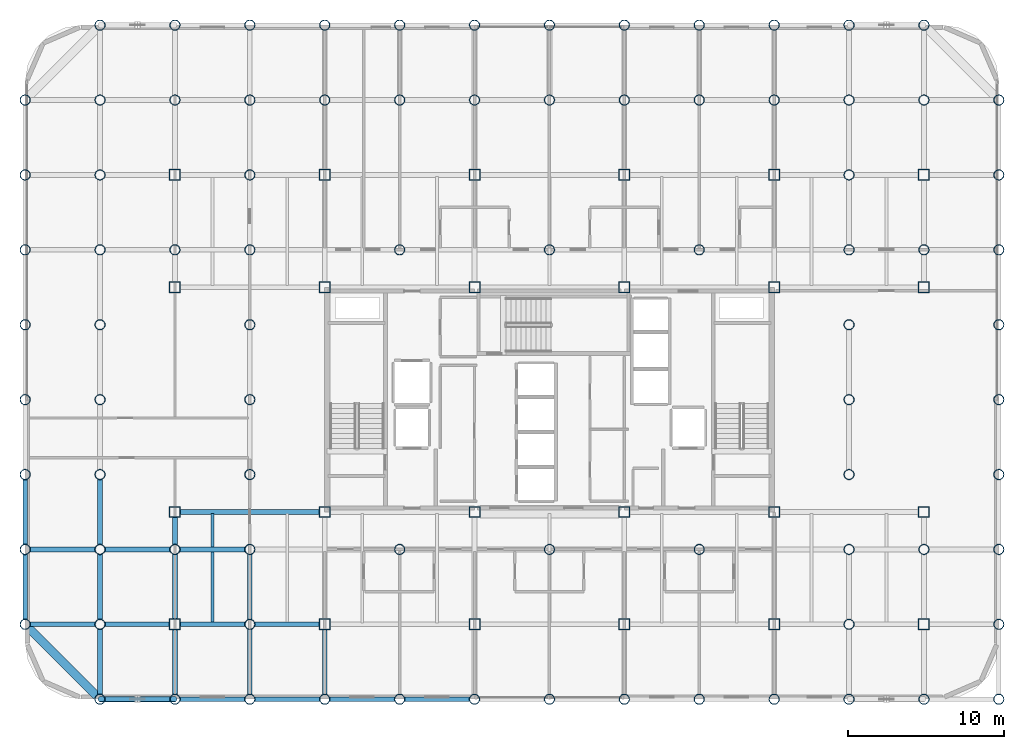
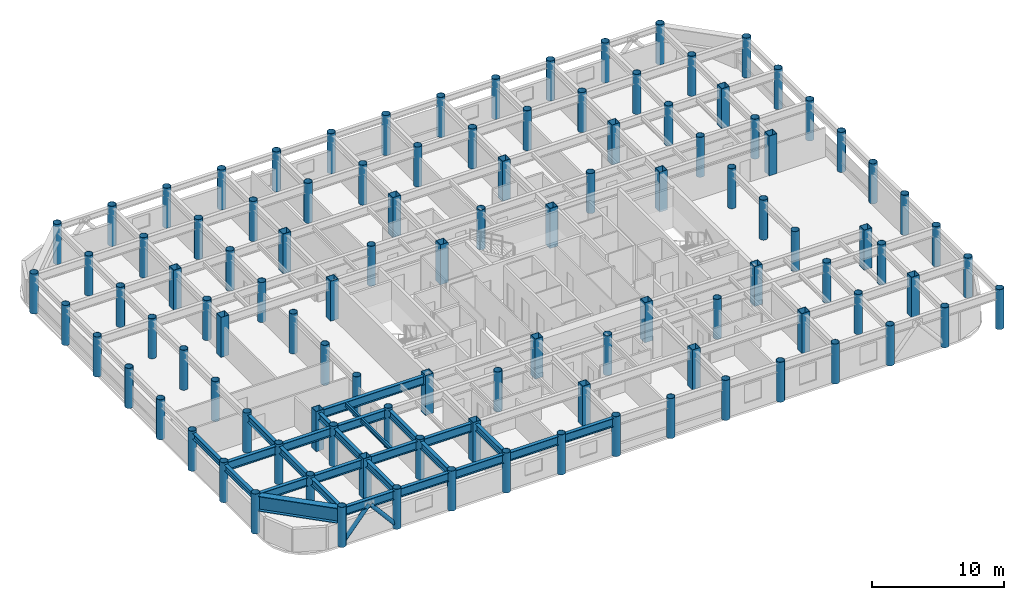
# One storey, part 1 of 20: 108 columns, 26 beams, 2 members.
"""IFC4 building model written with IfcOpenShell, lengths in metres."""

from ifc_helpers import new_model, si_unit, direction, frame, origin, origin_2d, place, context, subcontext, project, spatial, hollow_rectangle, hollow_circle, i_section, extrude, material, material_profile, profile_set, type_object, element, save


model = new_model("IFC4")

# Units and contexts
model_context = context("Model", 3, precision=1e-05, world=origin(), true_north=direction((0.0, 1.0)))
body_context = subcontext(model_context, "Body", "Model", "MODEL_VIEW")
ifc_project = project(units=[si_unit("LENGTHUNIT", "METRE"), si_unit("AREAUNIT", "SQUARE_METRE"), si_unit("VOLUMEUNIT", "CUBIC_METRE"), si_unit("PLANEANGLEUNIT", "RADIAN"), si_unit("MASSUNIT", "GRAM", prefix="KILO")], contexts=[model_context])

# Site, building, storey
site_placement = place(None, origin())
site = spatial("IfcSite", under=ifc_project, at=site_placement, CompositionType="ELEMENT")
building_placement = place(site_placement, origin())
building = spatial("IfcBuilding", under=site, at=building_placement, Name="Kallvorn Hotel Tower", CompositionType="ELEMENT")
storey_placement = place(building_placement, frame((0.0, 0.0, 132.199951171875)))
storey = spatial("IfcBuildingStorey", under=building, at=storey_placement, Name="L32", CompositionType="ELEMENT", Elevation=132.199951171875)

# Columns
ifc_material_1 = material(Name="Structural steel S355J2H", Category="steel")
ifc_material_profile_1 = material_profile(ifc_material_1, hollow_circle(Radius=0.330078125, WallThickness=0.028076171875, at=origin_2d()), Name="CHS 660x28")
ifc_profile_set_1 = profile_set([ifc_material_profile_1], Name="Structural steel S355J2H")
column_type_1 = type_object("IfcColumnType", Name="COL_CHS_660", PredefinedType="COLUMN", material=ifc_profile_set_1)
for number, where, z_axis, x_axis, name in (
    (1, (-33.60009765625, -14.39990234375, 0.0), (0.0, 0.0, 1.0), (1.0, 0.0, 0.0), "L32 Exoskeleton Column EC01"),
    (2, (-33.60009765625, -9.60009765625, 0.0), (0.0, 0.0, 1.0), (1.0, 0.0, 0.0), "L32 Exoskeleton Column EC02"),
    (3, (-33.60009765625, -4.800048828125, 0.0), (0.0, 0.0, 1.0), (1.0, 0.0, 0.0), "L32 Exoskeleton Column EC03"),
    (4, (-33.60009765625, 0.0, 0.0), (0.0, 0.0, 1.0), (1.0, 0.0, 0.0), "L32 Exoskeleton Column EC04"),
    (5, (-33.60009765625, 4.800048828125, 0.0), (0.0, 0.0, 1.0), (1.0, 0.0, 0.0), "L32 Exoskeleton Column EC05"),
    (6, (-33.60009765625, 9.60009765625, 0.0), (0.0, 0.0, 1.0), (1.0, 0.0, 0.0), "L32 Exoskeleton Column EC06"),
    (7, (-33.60009765625, 14.39990234375, 0.0), (0.0, 0.0, 1.0), (1.0, 0.0, 0.0), "L32 Exoskeleton Column EC07"),
    (8, (-33.60009765625, 19.199951171875, 0.0), (0.0, 0.0, 1.0), (1.0, 0.0, 0.0), "L32 Exoskeleton Column EC08"),
    (9, (-28.800048828125, -19.199951171875, 0.0), (0.0, 0.0, 1.0), (1.0, 0.0, 0.0), "L32 Exoskeleton Column EC09"),
    (10, (-28.800048828125, -14.39990234375, 0.0), (0.0, 0.0, 1.0), (1.0, 0.0, 0.0), "L32 Exoskeleton Column EC10"),
    (11, (-28.800048828125, -9.60009765625, 0.0), (0.0, 0.0, 1.0), (1.0, 0.0, 0.0), "L32 Exoskeleton Column EC11"),
    (12, (-28.800048828125, -4.800048828125, 0.0), (0.0, 0.0, 1.0), (1.0, 0.0, 0.0), "L32 Exoskeleton Column EC12"),
    (13, (-28.800048828125, 0.0, 0.0), (0.0, 0.0, 1.0), (1.0, 0.0, 0.0), "L32 Exoskeleton Column EC13"),
    (14, (-28.800048828125, 4.800048828125, 0.0), (0.0, 0.0, 1.0), (1.0, 0.0, 0.0), "L32 Exoskeleton Column EC14"),
    (15, (-28.800048828125, 9.60009765625, 0.0), (0.0, 0.0, 1.0), (1.0, 0.0, 0.0), "L32 Exoskeleton Column EC15"),
    (16, (-28.800048828125, 14.39990234375, 0.0), (0.0, 0.0, 1.0), (1.0, 0.0, 0.0), "L32 Exoskeleton Column EC16"),
    (17, (-28.800048828125, 19.199951171875, 0.0), (0.0, 0.0, 1.0), (1.0, 0.0, 0.0), "L32 Exoskeleton Column EC17"),
    (18, (-28.800048828125, 24.0, 0.0), (0.0, 0.0, 1.0), (1.0, 0.0, 0.0), "L32 Exoskeleton Column EC18"),
    (19, (-24.0, -19.199951171875, 0.0), (0.0, 0.0, 1.0), (1.0, 0.0, 0.0), "L32 Exoskeleton Column EC19"),
    (20, (-24.0, -9.60009765625, 0.0), (0.0, 0.0, 1.0), (1.0, 0.0, 0.0), "L32 Exoskeleton Column EC20"),
    (21, (-24.0, 9.60009765625, 0.0), (0.0, 0.0, 1.0), (1.0, 0.0, 0.0), "L32 Exoskeleton Column EC21"),
    (22, (-24.0, 19.199951171875, 0.0), (0.0, 0.0, 1.0), (1.0, 0.0, 0.0), "L32 Exoskeleton Column EC22"),
    (23, (-24.0, 24.0, 0.0), (0.0, 0.0, 1.0), (1.0, 0.0, 0.0), "L32 Exoskeleton Column EC23"),
    (24, (-19.199951171875, -19.199951171875, 0.0), (0.0, 0.0, 1.0), (1.0, 0.0, 0.0), "L32 Exoskeleton Column EC24"),
    (25, (-19.199951171875, -14.39990234375, 0.0), (0.0, 0.0, 1.0), (1.0, 0.0, 0.0), "L32 Exoskeleton Column EC25"),
    (26, (-19.199951171875, -9.60009765625, 0.0), (0.0, 0.0, 1.0), (1.0, 0.0, 0.0), "L32 Exoskeleton Column EC26"),
    (27, (-19.199951171875, -4.800048828125, 0.0), (0.0, 0.0, 1.0), (1.0, 0.0, 0.0), "L32 Exoskeleton Column EC27"),
    (28, (-19.199951171875, 0.0, 0.0), (0.0, 0.0, 1.0), (1.0, 0.0, 0.0), "L32 Exoskeleton Column EC28"),
    (29, (-19.199951171875, 4.800048828125, 0.0), (0.0, 0.0, 1.0), (1.0, 0.0, 0.0), "L32 Exoskeleton Column EC29"),
    (30, (-19.199951171875, 9.60009765625, 0.0), (0.0, 0.0, 1.0), (1.0, 0.0, 0.0), "L32 Exoskeleton Column EC30"),
    (31, (-19.199951171875, 14.39990234375, 0.0), (0.0, 0.0, 1.0), (1.0, 0.0, 0.0), "L32 Exoskeleton Column EC31"),
    (32, (-19.199951171875, 19.199951171875, 0.0), (0.0, 0.0, 1.0), (1.0, 0.0, 0.0), "L32 Exoskeleton Column EC32"),
    (33, (-19.199951171875, 24.0, 0.0), (0.0, 0.0, 1.0), (1.0, 0.0, 0.0), "L32 Exoskeleton Column EC33"),
    (34, (-14.39990234375, -19.199951171875, 0.0), (0.0, 0.0, 1.0), (1.0, 0.0, 0.0), "L32 Exoskeleton Column EC34"),
    (35, (-14.39990234375, 19.199951171875, 0.0), (0.0, 0.0, 1.0), (1.0, 0.0, 0.0), "L32 Exoskeleton Column EC35"),
    (36, (-14.39990234375, 24.0, 0.0), (0.0, 0.0, 1.0), (1.0, 0.0, 0.0), "L32 Exoskeleton Column EC36"),
    (37, (-9.60009765625, -19.199951171875, 0.0), (0.0, 0.0, 1.0), (1.0, 0.0, 0.0), "L32 Exoskeleton Column EC37"),
    (38, (-9.60009765625, -9.60009765625, 0.0), (0.0, 0.0, 1.0), (1.0, 0.0, 0.0), "L32 Exoskeleton Column EC38"),
    (39, (-9.60009765625, 9.60009765625, 0.0), (0.0, 0.0, 1.0), (1.0, 0.0, 0.0), "L32 Exoskeleton Column EC39"),
    (40, (-9.60009765625, 19.199951171875, 0.0), (0.0, 0.0, 1.0), (1.0, 0.0, 0.0), "L32 Exoskeleton Column EC40"),
    (41, (-9.60009765625, 24.0, 0.0), (0.0, 0.0, 1.0), (1.0, 0.0, 0.0), "L32 Exoskeleton Column EC41"),
    (42, (-4.800048828125, -19.199951171875, 0.0), (0.0, 0.0, 1.0), (1.0, 0.0, 0.0), "L32 Exoskeleton Column EC42"),
    (43, (-4.800048828125, 19.199951171875, 0.0), (0.0, 0.0, 1.0), (1.0, 0.0, 0.0), "L32 Exoskeleton Column EC43"),
    (44, (-4.800048828125, 24.0, 0.0), (0.0, 0.0, 1.0), (1.0, 0.0, 0.0), "L32 Exoskeleton Column EC44"),
    (45, (0.0, -19.199951171875, 0.0), (0.0, 0.0, 1.0), (1.0, 0.0, 0.0), "L32 Exoskeleton Column EC45"),
    (46, (0.0, -9.60009765625, 0.0), (0.0, 0.0, 1.0), (1.0, 0.0, 0.0), "L32 Exoskeleton Column EC46"),
    (47, (0.0, 9.60009765625, 0.0), (0.0, 0.0, 1.0), (1.0, 0.0, 0.0), "L32 Exoskeleton Column EC47"),
    (48, (0.0, 19.199951171875, 0.0), (0.0, 0.0, 1.0), (1.0, 0.0, 0.0), "L32 Exoskeleton Column EC48"),
    (49, (0.0, 24.0, 0.0), (0.0, 0.0, 1.0), (1.0, 0.0, 0.0), "L32 Exoskeleton Column EC49"),
    (50, (4.800048828125, -19.199951171875, 0.0), (0.0, 0.0, 1.0), (1.0, 0.0, 0.0), "L32 Exoskeleton Column EC50"),
    (51, (4.800048828125, 19.199951171875, 0.0), (0.0, 0.0, 1.0), (1.0, 0.0, 0.0), "L32 Exoskeleton Column EC51"),
    (52, (4.800048828125, 24.0, 0.0), (0.0, 0.0, 1.0), (1.0, 0.0, 0.0), "L32 Exoskeleton Column EC52"),
    (53, (9.60009765625, -19.199951171875, 0.0), (0.0, 0.0, 1.0), (1.0, 0.0, 0.0), "L32 Exoskeleton Column EC53"),
    (54, (9.60009765625, -9.60009765625, 0.0), (0.0, 0.0, 1.0), (1.0, 0.0, 0.0), "L32 Exoskeleton Column EC54"),
    (55, (9.60009765625, 9.60009765625, 0.0), (0.0, 0.0, 1.0), (1.0, 0.0, 0.0), "L32 Exoskeleton Column EC55"),
    (56, (9.60009765625, 19.199951171875, 0.0), (0.0, 0.0, 1.0), (1.0, 0.0, 0.0), "L32 Exoskeleton Column EC56"),
    (57, (9.60009765625, 24.0, 0.0), (0.0, 0.0, 1.0), (1.0, 0.0, 0.0), "L32 Exoskeleton Column EC57"),
    (58, (14.39990234375, -19.199951171875, 0.0), (0.0, 0.0, 1.0), (1.0, 0.0, 0.0), "L32 Exoskeleton Column EC58"),
    (59, (14.39990234375, 19.199951171875, 0.0), (0.0, 0.0, 1.0), (1.0, 0.0, 0.0), "L32 Exoskeleton Column EC59"),
    (60, (14.39990234375, 24.0, 0.0), (0.0, 0.0, 1.0), (1.0, 0.0, 0.0), "L32 Exoskeleton Column EC60"),
    (61, (19.199951171875, -19.199951171875, 0.0), (0.0, 0.0, 1.0), (1.0, 0.0, 0.0), "L32 Exoskeleton Column EC61"),
    (62, (19.199951171875, -14.39990234375, 0.0), (0.0, 0.0, 1.0), (1.0, 0.0, 0.0), "L32 Exoskeleton Column EC62"),
    (63, (19.199951171875, -9.60009765625, 0.0), (0.0, 0.0, 1.0), (1.0, 0.0, 0.0), "L32 Exoskeleton Column EC63"),
    (64, (19.199951171875, -4.800048828125, 0.0), (0.0, 0.0, 1.0), (1.0, 0.0, 0.0), "L32 Exoskeleton Column EC64"),
    (65, (19.199951171875, 0.0, 0.0), (0.0, 0.0, 1.0), (1.0, 0.0, 0.0), "L32 Exoskeleton Column EC65"),
    (66, (19.199951171875, 4.800048828125, 0.0), (0.0, 0.0, 1.0), (1.0, 0.0, 0.0), "L32 Exoskeleton Column EC66"),
    (67, (19.199951171875, 9.60009765625, 0.0), (0.0, 0.0, 1.0), (1.0, 0.0, 0.0), "L32 Exoskeleton Column EC67"),
    (68, (19.199951171875, 14.39990234375, 0.0), (0.0, 0.0, 1.0), (1.0, 0.0, 0.0), "L32 Exoskeleton Column EC68"),
    (69, (19.199951171875, 19.199951171875, 0.0), (0.0, 0.0, 1.0), (1.0, 0.0, 0.0), "L32 Exoskeleton Column EC69"),
    (70, (19.199951171875, 24.0, 0.0), (0.0, 0.0, 1.0), (1.0, 0.0, 0.0), "L32 Exoskeleton Column EC70"),
    (71, (24.0, -19.199951171875, 0.0), (0.0, 0.0, 1.0), (1.0, 0.0, 0.0), "L32 Exoskeleton Column EC71"),
    (72, (24.0, -9.60009765625, 0.0), (0.0, 0.0, 1.0), (1.0, 0.0, 0.0), "L32 Exoskeleton Column EC72"),
    (73, (24.0, 9.60009765625, 0.0), (0.0, 0.0, 1.0), (1.0, 0.0, 0.0), "L32 Exoskeleton Column EC73"),
    (74, (24.0, 19.199951171875, 0.0), (0.0, 0.0, 1.0), (1.0, 0.0, 0.0), "L32 Exoskeleton Column EC74"),
    (75, (24.0, 24.0, 0.0), (0.0, 0.0, 1.0), (1.0, 0.0, 0.0), "L32 Exoskeleton Column EC75"),
    (76, (28.800048828125, -19.199951171875, 0.0), (0.0, 0.0, 1.0), (1.0, 0.0, 0.0), "L32 Exoskeleton Column EC76"),
    (77, (28.800048828125, -14.39990234375, 0.0), (0.0, 0.0, 1.0), (1.0, 0.0, 0.0), "L32 Exoskeleton Column EC77"),
    (78, (28.800048828125, -9.60009765625, 0.0), (0.0, 0.0, 1.0), (1.0, 0.0, 0.0), "L32 Exoskeleton Column EC78"),
    (79, (28.800048828125, -4.800048828125, 0.0), (0.0, 0.0, 1.0), (1.0, 0.0, 0.0), "L32 Exoskeleton Column EC79"),
    (80, (28.800048828125, 0.0, 0.0), (0.0, 0.0, 1.0), (1.0, 0.0, 0.0), "L32 Exoskeleton Column EC80"),
    (81, (28.800048828125, 4.800048828125, 0.0), (0.0, 0.0, 1.0), (1.0, 0.0, 0.0), "L32 Exoskeleton Column EC81"),
    (82, (28.800048828125, 9.60009765625, 0.0), (0.0, 0.0, 1.0), (1.0, 0.0, 0.0), "L32 Exoskeleton Column EC82"),
    (83, (28.800048828125, 14.39990234375, 0.0), (0.0, 0.0, 1.0), (1.0, 0.0, 0.0), "L32 Exoskeleton Column EC83"),
    (84, (28.800048828125, 19.199951171875, 0.0), (0.0, 0.0, 1.0), (1.0, 0.0, 0.0), "L32 Exoskeleton Column EC84"),
):
    element("IfcColumn", number, at=place(storey_placement, frame(where, z_axis=z_axis, x_axis=x_axis)), inside=storey, type_object=column_type_1, Name=name, PredefinedType="COLUMN", context=body_context, shape_type="SweptSolid", body=[
        extrude(hollow_circle(Radius=0.330078125, WallThickness=0.028076171875, at=origin_2d()), origin(), (0.0, 0.0, 1.0), 3.699951171875),
    ])
ifc_material_2 = material(Name="Structural steel S355J2H", Category="steel")
ifc_material_profile_2 = material_profile(ifc_material_2, hollow_rectangle(XDim=0.699951171875, YDim=0.699951171875, WallThickness=0.031982421875, at=origin_2d()), Name="RHS 700x700x32")
ifc_profile_set_2 = profile_set([ifc_material_profile_2], Name="Structural steel S355J2H")
column_type_2 = type_object("IfcColumnType", Name="COL_RHS_700", PredefinedType="COLUMN", material=ifc_profile_set_2)
for number, where, z_axis, x_axis, name in (
    (85, (-24.0, -14.39990234375, 0.0), (0.0, 0.0, 1.0), (1.0, 0.0, 0.0), "L32 Inner Column IC01"),
    (86, (-24.0, -7.199951171875, 0.0), (0.0, 0.0, 1.0), (1.0, 0.0, 0.0), "L32 Inner Column IC02"),
    (87, (-24.0, 7.199951171875, 0.0), (0.0, 0.0, 1.0), (1.0, 0.0, 0.0), "L32 Inner Column IC03"),
    (88, (-24.0, 14.39990234375, 0.0), (0.0, 0.0, 1.0), (1.0, 0.0, 0.0), "L32 Inner Column IC04"),
    (89, (-14.39990234375, -14.39990234375, 0.0), (0.0, 0.0, 1.0), (1.0, 0.0, 0.0), "L32 Inner Column IC05"),
    (90, (-14.39990234375, -7.199951171875, 0.0), (0.0, 0.0, 1.0), (1.0, 0.0, 0.0), "L32 Inner Column IC06"),
    (91, (-14.39990234375, 7.199951171875, 0.0), (0.0, 0.0, 1.0), (1.0, 0.0, 0.0), "L32 Inner Column IC07"),
    (92, (-14.39990234375, 14.39990234375, 0.0), (0.0, 0.0, 1.0), (1.0, 0.0, 0.0), "L32 Inner Column IC08"),
    (93, (-4.800048828125, -14.39990234375, 0.0), (0.0, 0.0, 1.0), (1.0, 0.0, 0.0), "L32 Inner Column IC09"),
    (94, (-4.800048828125, -7.199951171875, 0.0), (0.0, 0.0, 1.0), (1.0, 0.0, 0.0), "L32 Inner Column IC10"),
    (95, (-4.800048828125, 7.199951171875, 0.0), (0.0, 0.0, 1.0), (1.0, 0.0, 0.0), "L32 Inner Column IC11"),
    (96, (-4.800048828125, 14.39990234375, 0.0), (0.0, 0.0, 1.0), (1.0, 0.0, 0.0), "L32 Inner Column IC12"),
    (97, (4.800048828125, -14.39990234375, 0.0), (0.0, 0.0, 1.0), (1.0, 0.0, 0.0), "L32 Inner Column IC13"),
    (98, (4.800048828125, -7.199951171875, 0.0), (0.0, 0.0, 1.0), (1.0, 0.0, 0.0), "L32 Inner Column IC14"),
    (99, (4.800048828125, 7.199951171875, 0.0), (0.0, 0.0, 1.0), (1.0, 0.0, 0.0), "L32 Inner Column IC15"),
    (100, (4.800048828125, 14.39990234375, 0.0), (0.0, 0.0, 1.0), (1.0, 0.0, 0.0), "L32 Inner Column IC16"),
    (101, (14.39990234375, -14.39990234375, 0.0), (0.0, 0.0, 1.0), (1.0, 0.0, 0.0), "L32 Inner Column IC17"),
    (102, (14.39990234375, -7.199951171875, 0.0), (0.0, 0.0, 1.0), (1.0, 0.0, 0.0), "L32 Inner Column IC18"),
    (103, (14.39990234375, 7.199951171875, 0.0), (0.0, 0.0, 1.0), (1.0, 0.0, 0.0), "L32 Inner Column IC19"),
    (104, (14.39990234375, 14.39990234375, 0.0), (0.0, 0.0, 1.0), (1.0, 0.0, 0.0), "L32 Inner Column IC20"),
    (105, (24.0, -14.39990234375, 0.0), (0.0, 0.0, 1.0), (1.0, 0.0, 0.0), "L32 Inner Column IC21"),
    (106, (24.0, -7.199951171875, 0.0), (0.0, 0.0, 1.0), (1.0, 0.0, 0.0), "L32 Inner Column IC22"),
    (107, (24.0, 7.199951171875, 0.0), (0.0, 0.0, 1.0), (1.0, 0.0, 0.0), "L32 Inner Column IC23"),
    (108, (24.0, 14.39990234375, 0.0), (0.0, 0.0, 1.0), (1.0, 0.0, 0.0), "L32 Inner Column IC24"),
):
    element("IfcColumn", number, at=place(storey_placement, frame(where, z_axis=z_axis, x_axis=x_axis)), inside=storey, type_object=column_type_2, Name=name, PredefinedType="COLUMN", context=body_context, shape_type="SweptSolid", body=[
        extrude(hollow_rectangle(XDim=0.699951171875, YDim=0.699951171875, WallThickness=0.031982421875, at=origin_2d()), origin(), (0.0, 0.0, 1.0), 3.699951171875),
    ])

# Beams
ifc_material_3 = material(Name="Structural steel S355JR", Category="steel")
ifc_material_profile_3 = material_profile(ifc_material_3, i_section(OverallWidth=0.300048828125, OverallDepth=0.550048828125, WebThickness=0.014892578125, FlangeThickness=0.029052734375, at=origin_2d()), Name="HE 550 B")
ifc_profile_set_3 = profile_set([ifc_material_profile_3], Name="Structural steel S355JR")
beam_type_1 = type_object("IfcBeamType", Name="BM_HE550B", PredefinedType="SPANDREL", material=ifc_profile_set_3)
beam_1_placement = place(storey_placement, frame((-33.60009765625, -14.080078125, 3.2451171875), z_axis=(0.0, 1.0, 0.0), x_axis=(-1.0, 0.0, 0.0)))
element("IfcBeam", 109, at=beam_1_placement, inside=storey, type_object=beam_type_1, Name="L33 Perimeter Spandrel 174", PredefinedType="SPANDREL", context=body_context, shape_type="SweptSolid", body=[
    extrude(i_section(OverallWidth=0.300048828125, OverallDepth=0.550048828125, WebThickness=0.014892578125, FlangeThickness=0.029052734375, at=origin_2d()), origin(), (0.0, 0.0, 1.0), 4.16015625),
])
beam_2_placement = place(storey_placement, frame((-33.60009765625, -9.280029296875, 3.2451171875), z_axis=(0.0, 1.0, 0.0), x_axis=(-1.0, 0.0, 0.0)))
element("IfcBeam", 110, at=beam_2_placement, inside=storey, type_object=beam_type_1, Name="L33 Perimeter Spandrel 175", PredefinedType="SPANDREL", context=body_context, shape_type="SweptSolid", body=[
    extrude(i_section(OverallWidth=0.300048828125, OverallDepth=0.550048828125, WebThickness=0.014892578125, FlangeThickness=0.029052734375, at=origin_2d()), origin(), (0.0, 0.0, 1.0), 4.159912109375),
])
ifc_material_4 = material(Name="Structural steel S355JR", Category="steel")
ifc_material_profile_4 = material_profile(ifc_material_4, i_section(OverallWidth=0.300048828125, OverallDepth=0.64990234375, WebThickness=0.01611328125, FlangeThickness=0.031005859375, at=origin_2d()), Name="HE 650 B")
ifc_profile_set_4 = profile_set([ifc_material_profile_4], Name="Structural steel S355JR")
beam_type_2 = type_object("IfcBeamType", Name="BM_HE650B", PredefinedType="BEAM", material=ifc_profile_set_4)
for number, where, z_axis, x_axis, name in (
    (111, (-28.800048828125, -18.89501953125, 3.195068359375), (0.0, 1.0, 0.0), (-1.0, 0.0, 0.0), "L33 Primary Y-Girder 73"),
    (112, (-28.800048828125, -14.094970703125, 3.195068359375), (0.0, 1.0, 0.0), (-1.0, 0.0, 0.0), "L33 Primary Y-Girder 74"),
    (113, (-28.800048828125, -9.294921875, 3.195068359375), (0.0, 1.0, 0.0), (-1.0, 0.0, 0.0), "L33 Primary Y-Girder 75"),
):
    element("IfcBeam", number, at=place(storey_placement, frame(where, z_axis=z_axis, x_axis=x_axis)), inside=storey, type_object=beam_type_2, Name=name, PredefinedType="BEAM", context=body_context, shape_type="SweptSolid", body=[
        extrude(i_section(OverallWidth=0.300048828125, OverallDepth=0.64990234375, WebThickness=0.01611328125, FlangeThickness=0.031005859375, at=origin_2d()), origin(), (0.0, 0.0, 1.0), 4.18994140625),
    ])
for number, where, z_axis, x_axis, name in (
    (114, (-24.0, -18.89501953125, 3.195068359375), (0.0, 1.0, 0.0), (-1.0, 0.0, 0.0), "L33 Primary Y-Girder 82"),
    (115, (-24.0, -14.074951171875, 3.195068359375), (0.0, 1.0, 0.0), (-1.0, 0.0, 0.0), "L33 Primary Y-Girder 83"),
):
    element("IfcBeam", number, at=place(storey_placement, frame(where, z_axis=z_axis, x_axis=x_axis)), inside=storey, type_object=beam_type_2, Name=name, PredefinedType="BEAM", context=body_context, shape_type="SweptSolid", body=[
        extrude(i_section(OverallWidth=0.300048828125, OverallDepth=0.64990234375, WebThickness=0.01611328125, FlangeThickness=0.031005859375, at=origin_2d()), origin(), (0.0, 0.0, 1.0), 4.169921875),
    ])
beam_3_placement = place(storey_placement, frame((-24.0, -9.294921875, 3.195068359375), z_axis=(0.0, 1.0, 0.0), x_axis=(-1.0, 0.0, 0.0)))
element("IfcBeam", 116, at=beam_3_placement, inside=storey, type_object=beam_type_2, Name="L33 Primary Y-Girder 84", PredefinedType="BEAM", context=body_context, shape_type="SweptSolid", body=[
    extrude(i_section(OverallWidth=0.300048828125, OverallDepth=0.64990234375, WebThickness=0.01611328125, FlangeThickness=0.031005859375, at=origin_2d()), origin(), (0.0, 0.0, 1.0), 1.77001953125),
])
for number, where, z_axis, x_axis, name in (
    (117, (-19.199951171875, -18.89501953125, 3.195068359375), (0.0, 1.0, 0.0), (-1.0, 0.0, 0.0), "L33 Primary Y-Girder 89"),
    (118, (-19.199951171875, -14.094970703125, 3.195068359375), (0.0, 1.0, 0.0), (-1.0, 0.0, 0.0), "L33 Primary Y-Girder 90"),
):
    element("IfcBeam", number, at=place(storey_placement, frame(where, z_axis=z_axis, x_axis=x_axis)), inside=storey, type_object=beam_type_2, Name=name, PredefinedType="BEAM", context=body_context, shape_type="SweptSolid", body=[
        extrude(i_section(OverallWidth=0.300048828125, OverallDepth=0.64990234375, WebThickness=0.01611328125, FlangeThickness=0.031005859375, at=origin_2d()), origin(), (0.0, 0.0, 1.0), 4.18994140625),
    ])
beam_4_placement = place(storey_placement, frame((-14.39990234375, -18.89501953125, 3.195068359375), z_axis=(0.0, 1.0, 0.0), x_axis=(-1.0, 0.0, 0.0)))
element("IfcBeam", 119, at=beam_4_placement, inside=storey, type_object=beam_type_2, Name="L33 Primary Y-Girder 98", PredefinedType="BEAM", context=body_context, shape_type="SweptSolid", body=[
    extrude(i_section(OverallWidth=0.300048828125, OverallDepth=0.64990234375, WebThickness=0.01611328125, FlangeThickness=0.031005859375, at=origin_2d()), origin(), (0.0, 0.0, 1.0), 4.169921875),
])
ifc_material_5 = material(Name="Structural steel S355JR", Category="steel")
ifc_material_profile_5 = material_profile(ifc_material_5, i_section(OverallWidth=0.300048828125, OverallDepth=0.800048828125, WebThickness=0.017578125, FlangeThickness=0.032958984375, at=origin_2d()), Name="HE 800 B")
ifc_profile_set_5 = profile_set([ifc_material_profile_5], Name="Structural steel S355JR")
beam_type_3 = type_object("IfcBeamType", Name="BM_HE800B", PredefinedType="BEAM", material=ifc_profile_set_5)
for number, where, z_axis, x_axis, name in (
    (120, (-28.4951171875, -19.199951171875, 3.1201171875), (1.0, 0.0, 0.0), (0.0, 1.0, 0.0), "L33 Primary X-Girder 01"),
    (121, (-23.695068359375, -19.199951171875, 3.1201171875), (1.0, 0.0, 0.0), (0.0, 1.0, 0.0), "L33 Primary X-Girder 02"),
):
    element("IfcBeam", number, at=place(storey_placement, frame(where, z_axis=z_axis, x_axis=x_axis)), inside=storey, type_object=beam_type_3, Name=name, PredefinedType="BEAM", context=body_context, shape_type="SweptSolid", body=[
        extrude(i_section(OverallWidth=0.300048828125, OverallDepth=0.800048828125, WebThickness=0.017578125, FlangeThickness=0.032958984375, at=origin_2d()), origin(), (0.0, 0.0, 1.0), 4.190185546875),
    ])
for number, where, z_axis, x_axis, name in (
    (122, (-18.89501953125, -19.199951171875, 3.1201171875), (1.0, 0.0, 0.0), (0.0, 1.0, 0.0), "L33 Primary X-Girder 03"),
    (123, (-14.094970703125, -19.199951171875, 3.1201171875), (1.0, 0.0, 0.0), (0.0, 1.0, 0.0), "L33 Primary X-Girder 04"),
    (124, (-9.294921875, -19.199951171875, 3.1201171875), (1.0, 0.0, 0.0), (0.0, 1.0, 0.0), "L33 Primary X-Girder 05"),
    (125, (-33.294921875, -14.39990234375, 3.1201171875), (1.0, 0.0, 0.0), (0.0, 1.0, 0.0), "L33 Primary X-Girder 13"),
):
    element("IfcBeam", number, at=place(storey_placement, frame(where, z_axis=z_axis, x_axis=x_axis)), inside=storey, type_object=beam_type_3, Name=name, PredefinedType="BEAM", context=body_context, shape_type="SweptSolid", body=[
        extrude(i_section(OverallWidth=0.300048828125, OverallDepth=0.800048828125, WebThickness=0.017578125, FlangeThickness=0.032958984375, at=origin_2d()), origin(), (0.0, 0.0, 1.0), 4.18994140625),
    ])
for number, where, z_axis, x_axis, name in (
    (126, (-28.4951171875, -14.39990234375, 3.1201171875), (1.0, 0.0, 0.0), (0.0, 1.0, 0.0), "L33 Primary X-Girder 14"),
    (127, (-23.675048828125, -14.39990234375, 3.1201171875), (1.0, 0.0, 0.0), (0.0, 1.0, 0.0), "L33 Primary X-Girder 15"),
):
    element("IfcBeam", number, at=place(storey_placement, frame(where, z_axis=z_axis, x_axis=x_axis)), inside=storey, type_object=beam_type_3, Name=name, PredefinedType="BEAM", context=body_context, shape_type="SweptSolid", body=[
        extrude(i_section(OverallWidth=0.300048828125, OverallDepth=0.800048828125, WebThickness=0.017578125, FlangeThickness=0.032958984375, at=origin_2d()), origin(), (0.0, 0.0, 1.0), 4.170166015625),
    ])
beam_5_placement = place(storey_placement, frame((-18.89501953125, -14.39990234375, 3.1201171875), z_axis=(1.0, 0.0, 0.0), x_axis=(0.0, 1.0, 0.0)))
element("IfcBeam", 128, at=beam_5_placement, inside=storey, type_object=beam_type_3, Name="L33 Primary X-Girder 16", PredefinedType="BEAM", context=body_context, shape_type="SweptSolid", body=[
    extrude(i_section(OverallWidth=0.300048828125, OverallDepth=0.800048828125, WebThickness=0.017578125, FlangeThickness=0.032958984375, at=origin_2d()), origin(), (0.0, 0.0, 1.0), 4.169921875),
])
beam_6_placement = place(storey_placement, frame((-33.294921875, -9.60009765625, 3.1201171875), z_axis=(1.0, 0.0, 0.0), x_axis=(0.0, 1.0, 0.0)))
element("IfcBeam", 129, at=beam_6_placement, inside=storey, type_object=beam_type_3, Name="L33 Primary X-Girder 23", PredefinedType="BEAM", context=body_context, shape_type="SweptSolid", body=[
    extrude(i_section(OverallWidth=0.300048828125, OverallDepth=0.800048828125, WebThickness=0.017578125, FlangeThickness=0.032958984375, at=origin_2d()), origin(), (0.0, 0.0, 1.0), 4.18994140625),
])
for number, where, z_axis, x_axis, name in (
    (130, (-28.4951171875, -9.60009765625, 3.1201171875), (1.0, 0.0, 0.0), (0.0, 1.0, 0.0), "L33 Primary X-Girder 24"),
    (131, (-23.695068359375, -9.60009765625, 3.1201171875), (1.0, 0.0, 0.0), (0.0, 1.0, 0.0), "L33 Primary X-Girder 25"),
):
    element("IfcBeam", number, at=place(storey_placement, frame(where, z_axis=z_axis, x_axis=x_axis)), inside=storey, type_object=beam_type_3, Name=name, PredefinedType="BEAM", context=body_context, shape_type="SweptSolid", body=[
        extrude(i_section(OverallWidth=0.300048828125, OverallDepth=0.800048828125, WebThickness=0.017578125, FlangeThickness=0.032958984375, at=origin_2d()), origin(), (0.0, 0.0, 1.0), 4.190185546875),
    ])
beam_7_placement = place(storey_placement, frame((-23.675048828125, -7.199951171875, 3.1201171875), z_axis=(1.0, 0.0, 0.0), x_axis=(0.0, 1.0, 0.0)))
element("IfcBeam", 132, at=beam_7_placement, inside=storey, type_object=beam_type_3, Name="L33 Primary X-Girder 32", PredefinedType="BEAM", context=body_context, shape_type="SweptSolid", body=[
    extrude(i_section(OverallWidth=0.300048828125, OverallDepth=0.800048828125, WebThickness=0.017578125, FlangeThickness=0.032958984375, at=origin_2d()), origin(), (0.0, 0.0, 1.0), 8.949951171875),
])
ifc_material_6 = material(Name="Structural steel S355JR", Category="steel")
ifc_material_profile_6 = material_profile(ifc_material_6, i_section(OverallWidth=0.179931640625, OverallDepth=0.39990234375, WebThickness=0.008544921875, FlangeThickness=0.013427734375, at=origin_2d()), Name="IPE 400")
ifc_profile_set_6 = profile_set([ifc_material_profile_6], Name="Structural steel S355JR")
beam_type_4 = type_object("IfcBeamType", Name="BM_IPE400", PredefinedType="JOIST", material=ifc_profile_set_6)
beam_8_placement = place(storey_placement, frame((-21.60009765625, -14.300048828125, 3.320068359375), z_axis=(0.0, 1.0, 0.0), x_axis=(-1.0, 0.0, 0.0)))
element("IfcBeam", 133, at=beam_8_placement, inside=storey, type_object=beam_type_4, Name="L33 Secondary Composite Joist 192", PredefinedType="JOIST", context=body_context, shape_type="SweptSolid", body=[
    extrude(i_section(OverallWidth=0.179931640625, OverallDepth=0.39990234375, WebThickness=0.008544921875, FlangeThickness=0.013427734375, at=origin_2d()), origin(), (0.0, 0.0, 1.0), 7.0),
])
ifc_material_7 = material(Name="Structural steel S355JR", Category="steel")
ifc_material_profile_7 = material_profile(ifc_material_7, i_section(OverallWidth=0.550048828125, OverallDepth=1.39990234375, WebThickness=0.02490234375, FlangeThickness=0.044921875, at=origin_2d()), Name="PG 1400x550x25x45")
ifc_profile_set_7 = profile_set([ifc_material_profile_7], Name="Structural steel S355JR")
beam_type_5 = type_object("IfcBeamType", Name="BM_PG_1400", PredefinedType="BEAM", material=ifc_profile_set_7)
beam_9_placement = place(storey_placement, frame((-33.373779296875, -14.626220703125, 2.820068359375), z_axis=(0.707106781187, -0.707106781187, 0.0), x_axis=(0.707106781187, 0.707106781187, 0.0)))
element("IfcBeam", 134, at=beam_9_placement, inside=storey, type_object=beam_type_5, Name="L33 Rounded Corner Tie Beam 189", PredefinedType="BEAM", context=body_context, shape_type="SweptSolid", body=[
    extrude(i_section(OverallWidth=0.550048828125, OverallDepth=1.39990234375, WebThickness=0.02490234375, FlangeThickness=0.044921875, at=origin_2d()), origin(), (0.0, 0.0, 1.0), 6.148193359375),
])

# Members
ifc_material_8 = material(Name="Structural steel S355J2H", Category="steel")
ifc_material_profile_8 = material_profile(ifc_material_8, hollow_circle(Radius=0.177734375, WallThickness=0.01416015625, at=origin_2d()), Name="CHS 355.6x14.2")
ifc_profile_set_8 = profile_set([ifc_material_profile_8], Name="Structural steel S355J2H")
member_type = type_object("IfcMemberType", Name="MBR_EXO_CHS355", PredefinedType="BRACE", material=ifc_profile_set_8)
for number, where, z_axis, x_axis, name in (
    (135, (-28.787109375, -19.199951171875, 0.1953125), (0.646833296797, 0.0, 0.762631422218), (0.0, 1.0, 0.0), "L32 Exoskeleton K-Brace S1A"),
    (136, (-24.012939453125, -19.199951171875, 0.1953125), (-0.646833296797, 0.0, 0.762631422218), (0.0, -1.0, 0.0), "L32 Exoskeleton K-Brace S1B"),
):
    element("IfcMember", number, at=place(storey_placement, frame(where, z_axis=z_axis, x_axis=x_axis)), inside=storey, type_object=member_type, Name=name, PredefinedType="BRACE", context=body_context, shape_type="SweptSolid", body=[
        extrude(hollow_circle(Radius=0.177734375, WallThickness=0.01416015625, at=origin_2d()), origin(), (0.0, 0.0, 1.0), 3.670654296875),
    ])

save(model, "model.ifc")
